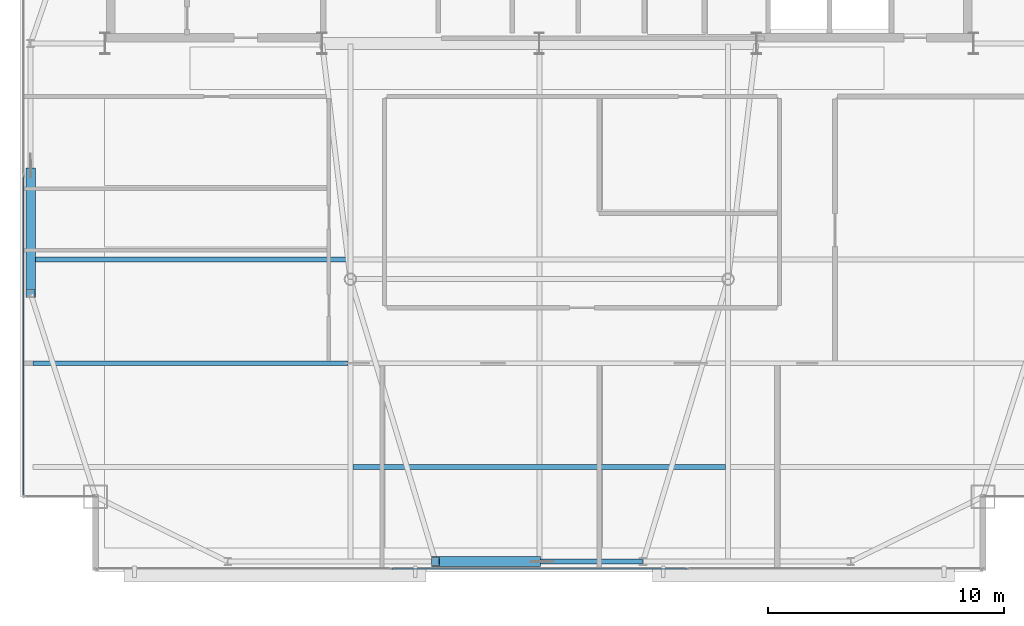
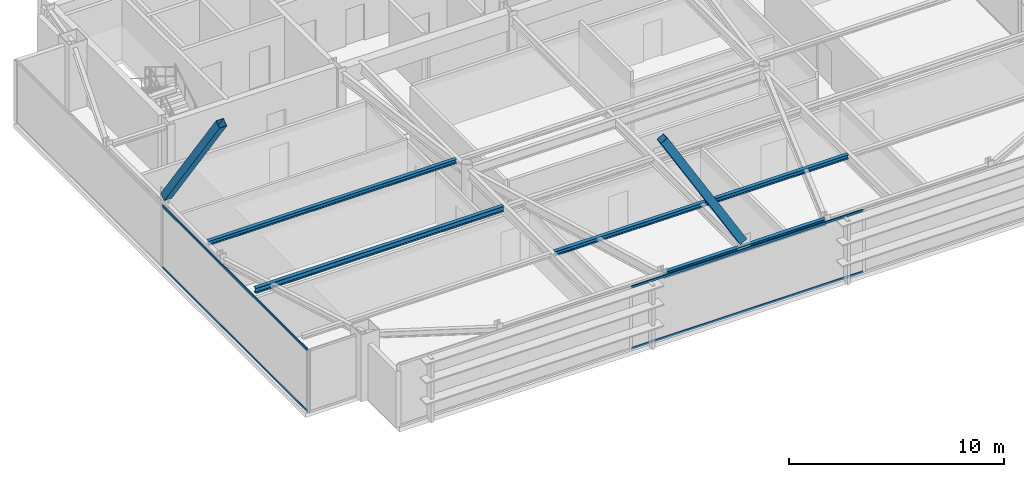
# One storey, part 7 of 24: 6 members, 4 beams, 2 elements without a shape of their own.
"""IFC4 building model written with IfcOpenShell, lengths in metres."""

import ifcopenshell
import ifcopenshell.guid

model = None  # the IFC model being written
_history = None  # IfcOwnerHistory: only IFC2X3 demands one
_inside = {}  # id of a spatial element -> (the spatial element, [elements in it])
_under = {}  # id of a project, library or spatial element -> (it, [spatial elements below it])
_declared = {}  # id of a project -> (the project, [libraries it declares])
_typed = {}  # id of a type object -> (the type object, [elements of that type])
_made_of = {}  # id of a material, layer set ... -> (it, [elements and type objects made of it])


def new_model(schema):
    """Start an empty IFC model of exactly this schema.

    Asked for "IFC4X3", IfcOpenShell would pick the latest addendum, in which some entities
    have other attributes; the version numbers below select the first issue.
    IFC2X3 requires an IfcOwnerHistory on every rooted entity: one is made here for all.
    """
    global model, _history
    if schema == "IFC4X3":
        model = ifcopenshell.file(schema_version=(4, 3, 0, 0))
    else:
        model = ifcopenshell.file(schema=schema)
    _inside.clear()
    _under.clear()
    _declared.clear()
    _typed.clear()
    _made_of.clear()
    _history = None
    if model.schema == "IFC2X3":
        org = make("IfcOrganization", Name="unknown")
        user = make(
            "IfcPersonAndOrganization",
            ThePerson=make("IfcPerson", FamilyName="unknown"),
            TheOrganization=org,
        )
        app = make(
            "IfcApplication",
            ApplicationDeveloper=org,
            Version="unknown",
            ApplicationFullName="unknown",
            ApplicationIdentifier="unknown",
        )
        _history = make(
            "IfcOwnerHistory",
            OwningUser=user,
            OwningApplication=app,
            ChangeAction="ADDED",
            CreationDate=0,
        )
    return model


def make(cls, **values):
    """One entity of the class cls with the attributes given. An attribute that is None is left unset."""
    return model.create_entity(
        cls, **{name: value for name, value in values.items() if value is not None}
    )


def rooted(cls, **values):
    """An entity with a GlobalId (a new one), such as an element, a storey or a relation."""
    return make(cls, GlobalId=ifcopenshell.guid.new(), OwnerHistory=_history, **values)


def si_unit(unit_type, name, prefix=None):
    """IfcSIUnit, for example si_unit("LENGTHUNIT", "METRE", prefix="MILLI")."""
    return make("IfcSIUnit", UnitType=unit_type, Prefix=prefix, Name=name)


def assignment(units):
    """IfcUnitAssignment: the units of a project."""
    return None if units is None else make("IfcUnitAssignment", Units=units)


def point(xyz):
    """IfcCartesianPoint."""
    return None if xyz is None else make("IfcCartesianPoint", Coordinates=xyz)


def direction(xyz):
    """IfcDirection."""
    return None if xyz is None else make("IfcDirection", DirectionRatios=xyz)


def frame(location, z_axis=None, x_axis=None):
    """IfcAxis2Placement3D, a coordinate frame: its origin and axes. An axis left out is left unset."""
    return make(
        "IfcAxis2Placement3D",
        Location=point(location),
        Axis=direction(z_axis),
        RefDirection=direction(x_axis),
    )


def frame_2d(location, x_axis=None):
    """IfcAxis2Placement2D, a coordinate frame in the plane: its origin and x axis."""
    return make(
        "IfcAxis2Placement2D", Location=point(location), RefDirection=direction(x_axis)
    )


def origin():
    """The frame at (0, 0, 0) with its axes left unset."""
    return frame((0.0, 0.0, 0.0))


def origin_2d():
    """The frame at (0, 0) in the plane with its x axis left unset."""
    return frame_2d((0.0, 0.0))


def place(relative_to, where):
    """IfcLocalPlacement: puts the frame where relative to a parent placement (None: the world)."""
    return make(
        "IfcLocalPlacement", PlacementRelTo=relative_to, RelativePlacement=where
    )


def context(
    kind, dimensions, precision=None, world=None, true_north=None, identifier=None
):
    """IfcGeometricRepresentationContext, for example the 3D "Model" context."""
    return make(
        "IfcGeometricRepresentationContext",
        ContextIdentifier=identifier,
        ContextType=kind,
        CoordinateSpaceDimension=dimensions,
        Precision=precision,
        WorldCoordinateSystem=world,
        TrueNorth=true_north,
    )


def subcontext(parent, identifier, kind, view, scale=None):
    """IfcGeometricRepresentationSubContext, for example "Body" below "Model"."""
    return make(
        "IfcGeometricRepresentationSubContext",
        ContextIdentifier=identifier,
        ContextType=kind,
        ParentContext=parent,
        TargetScale=scale,
        TargetView=view,
    )


def project(units=None, contexts=None):
    """IfcProject with its units and contexts."""
    return rooted(
        "IfcProject",
        Name="project",
        RepresentationContexts=contexts,
        UnitsInContext=assignment(units),
    )


def spatial(cls, under=None, at=None, **own):
    """A site, building, storey or space (cls), placed at a placement, below another one or the project."""
    s = rooted(cls, ObjectPlacement=at, **own)
    if under is not None:
        _under.setdefault(under.id(), (under, []))[1].append(s)
    return s


def profile(cls, at=None, kind="AREA", **sizes):
    """A parametric profile (cls). Its sizes go by their IFC names, for example OverallWidth=200.0."""
    return make(cls, ProfileType=kind, Position=at, **sizes)


def hollow_rectangle(**sizes):
    """IfcRectangleHollowProfileDef."""
    return profile("IfcRectangleHollowProfileDef", **sizes)


def i_section(**sizes):
    """IfcIShapeProfileDef."""
    return profile("IfcIShapeProfileDef", **sizes)


def extrude(swept, where, along, depth):
    """IfcExtrudedAreaSolid: the profile swept, set in the frame where, extruded along a direction by depth."""
    return make(
        "IfcExtrudedAreaSolid",
        SweptArea=swept,
        Position=where,
        ExtrudedDirection=direction(along),
        Depth=depth,
    )


def shape(context_of_items, identifier, shape_type, items):
    """IfcShapeRepresentation: the items that make up one representation, for example the "Body"."""
    return make(
        "IfcShapeRepresentation",
        ContextOfItems=context_of_items,
        RepresentationIdentifier=identifier,
        RepresentationType=shape_type,
        Items=items,
    )


def source(mapping_origin, context_of_items, identifier, shape_type, items):
    """IfcRepresentationMap: a shape defined once, which mapped items show again and again."""
    return make(
        "IfcRepresentationMap",
        MappingOrigin=mapping_origin,
        MappedRepresentation=shape(context_of_items, identifier, shape_type, items),
    )


def transform(
    local_origin,
    x_axis=None,
    y_axis=None,
    z_axis=None,
    scale=None,
    scale2=None,
    scale3=None,
    uniform=True,
):
    """IfcCartesianTransformationOperator3D, or its non-uniform kind. x_axis, y_axis, z_axis: its Axis1, 2, 3."""
    if uniform:
        return make(
            "IfcCartesianTransformationOperator3D",
            Axis1=direction(x_axis),
            Axis2=direction(y_axis),
            LocalOrigin=point(local_origin),
            Scale=scale,
            Axis3=direction(z_axis),
        )
    return make(
        "IfcCartesianTransformationOperator3DnonUniform",
        Axis1=direction(x_axis),
        Axis2=direction(y_axis),
        LocalOrigin=point(local_origin),
        Scale=scale,
        Axis3=direction(z_axis),
        Scale2=scale2,
        Scale3=scale3,
    )


def mapped(mapping_source, mapping_target):
    """IfcMappedItem: shows the shape of a source again, moved by a transform."""
    return make(
        "IfcMappedItem", MappingSource=mapping_source, MappingTarget=mapping_target
    )


def material(Name=None, Category=None):
    """IfcMaterial."""
    return make("IfcMaterial", Name=Name, Category=Category)


def layer(
    of_material, thickness, ventilated=None, Name=None, Category=None, Priority=None
):
    """IfcMaterialLayer: one layer of a wall or slab, of a material (None: an air gap)."""
    return make(
        "IfcMaterialLayer",
        Material=of_material,
        LayerThickness=thickness,
        IsVentilated=ventilated,
        Name=Name,
        Category=Category,
        Priority=Priority,
    )


def layer_set(layers, Name=None):
    """IfcMaterialLayerSet."""
    return make("IfcMaterialLayerSet", MaterialLayers=layers, LayerSetName=Name)


def material_profile(
    of_material, cross_section, Name=None, Category=None, Priority=None
):
    """IfcMaterialProfile: a cross section and its material."""
    return make(
        "IfcMaterialProfile",
        Name=Name,
        Material=of_material,
        Profile=cross_section,
        Priority=Priority,
        Category=Category,
    )


def profile_set(profiles, Name=None, composite=None):
    """IfcMaterialProfileSet."""
    return make(
        "IfcMaterialProfileSet",
        Name=Name,
        MaterialProfiles=profiles,
        CompositeProfile=composite,
    )


def made_of(thing, what):
    """Note that an element or type object is made of a material, layer set ...; save() writes the relation."""
    if what is not None:
        _made_of.setdefault(what.id(), (what, []))[1].append(thing)
    return thing


def type_object(cls, material=None, **own):
    """A type object (cls), such as IfcWallType, which elements share."""
    return made_of(rooted(cls, **own), material)


def type_shapes(of_type, sources):
    """Give a type object the sources (RepresentationMaps) that its elements show as mapped items."""
    of_type.RepresentationMaps = sources


def element(
    cls,
    number,
    at=None,
    inside=None,
    cuts=None,
    type_object=None,
    material=None,
    context=None,
    identifier="Body",
    shape_type=None,
    held_by="IfcProductDefinitionShape",
    body=None,
    shapes=None,
    **own,
):
    """One element of the class cls, such as IfcWall. Its Tag is "e" and its number.

    at: its placement. inside: the storey or other place that contains it. cuts: it is an
    opening in that element (IfcRelVoidsElement). A single representation is given by context,
    identifier, shape_type and body (its items); several are given by shapes. held_by: the class
    of the entity that holds the representations. save() writes the other relations.
    """
    e = rooted(cls, Tag="e%d" % number, ObjectPlacement=at, **own)
    if body is not None:
        shapes = [shape(context, identifier, shape_type, body)]
    if shapes is not None:
        e.Representation = make(held_by, Representations=shapes)
    if inside is not None:
        _inside.setdefault(inside.id(), (inside, []))[1].append(e)
    if cuts is not None:
        rooted(
            "IfcRelVoidsElement", RelatingBuildingElement=cuts, RelatedOpeningElement=e
        )
    if type_object is not None:
        _typed.setdefault(type_object.id(), (type_object, []))[1].append(e)
    return made_of(e, material)


def aggregate(whole, parts):
    """IfcRelAggregates: a whole, such as a stair, and the parts it consists of."""
    return rooted("IfcRelAggregates", RelatingObject=whole, RelatedObjects=parts)


def save(model, path):
    """Write the relations noted so far, then the file.

    IfcRelAggregates (storeys below a building ...), IfcRelContainedInSpatialStructure (elements
    in a storey), IfcRelDefinesByType, IfcRelAssociatesMaterial and IfcRelDeclares: one each for
    every whole, place, type object, material and project.
    """
    for whole, parts in _under.values():
        aggregate(whole, parts)
    for where, things in _inside.values():
        rooted(
            "IfcRelContainedInSpatialStructure",
            RelatedElements=things,
            RelatingStructure=where,
        )
    for kind, things in _typed.values():
        rooted("IfcRelDefinesByType", RelatedObjects=things, RelatingType=kind)
    for what, things in _made_of.values():
        rooted("IfcRelAssociatesMaterial", RelatedObjects=things, RelatingMaterial=what)
    for by, libraries in _declared.values():
        rooted("IfcRelDeclares", RelatingContext=by, RelatedDefinitions=libraries)
    model.write(path)


model = new_model("IFC4")

# Units and contexts
model_context = context("Model", 3, precision=1e-05, world=origin(), true_north=direction((0.0, 1.0)))
body_context = subcontext(model_context, "Body", "Model", "MODEL_VIEW")
ifc_project = project(units=[si_unit("LENGTHUNIT", "METRE"), si_unit("AREAUNIT", "SQUARE_METRE"), si_unit("VOLUMEUNIT", "CUBIC_METRE"), si_unit("PLANEANGLEUNIT", "RADIAN"), si_unit("MASSUNIT", "GRAM", prefix="KILO")], contexts=[model_context])

# Site, building, storey
site_placement = place(None, origin())
site = spatial("IfcSite", under=ifc_project, at=site_placement, CompositionType="ELEMENT")
building_placement = place(site_placement, origin())
building = spatial("IfcBuilding", under=site, at=building_placement, Name="Varnel Quay Broadcast Tower", CompositionType="ELEMENT")
storey_placement = place(building_placement, frame((0.0, 0.0, 262.199951171875)))
storey = spatial("IfcBuildingStorey", under=building, at=storey_placement, Name="L65", CompositionType="ELEMENT", Elevation=262.199951171875)

# Beams
ifc_material_1 = material(Name="Structural Steel CSA G40.21 350W", Category="steel")
ifc_material_profile_1 = material_profile(ifc_material_1, i_section(OverallWidth=0.205078125, OverallDepth=0.35400390625, WebThickness=0.009521484375, FlangeThickness=0.016845703125, FilletRadius=0.012939453125, at=origin_2d()), Name="W360X79")
ifc_profile_set_1 = profile_set([ifc_material_profile_1], Name="Structural Steel CSA G40.21 350W")
beam_type_1 = type_object("IfcBeamType", Name="Beam_W360X79", PredefinedType="SPANDREL", material=ifc_profile_set_1)
shared_shape_1 = source(origin(), body_context, "Body", "SweptSolid", [
    extrude(i_section(OverallWidth=0.205078125, OverallDepth=0.35400390625, WebThickness=0.009521484375, FlangeThickness=0.016845703125, FilletRadius=0.012939453125, at=origin_2d()), origin(), (0.0, 0.0, 1.0), 8.759765625),
])
type_shapes(beam_type_1, [shared_shape_1])
beam_1_placement = place(storey_placement, frame((29.6201171875, 13.64990234375, 3.373046875), z_axis=(1.0, 0.0, 0.0), x_axis=(0.0, 1.0, 0.0)))
element("IfcBeam", 1, at=beam_1_placement, inside=storey, type_object=beam_type_1, Name="L65 South Spandrel TC-S2-TC-S3", PredefinedType="SPANDREL", context=body_context, shape_type="MappedRepresentation", body=[
    mapped(shared_shape_1, transform((0.0, 0.0, 0.0), x_axis=(1.0, 0.0, 0.0), y_axis=(0.0, 1.0, 0.0), z_axis=(0.0, 0.0, 1.0), scale=1.0)),
])
ifc_material_profile_2 = material_profile(ifc_material_1, i_section(OverallWidth=0.201904296875, OverallDepth=0.2470703125, WebThickness=0.00732421875, FlangeThickness=0.010986328125, FilletRadius=0.010986328125, at=origin_2d()), Name="W250X49")
ifc_profile_set_2 = profile_set([ifc_material_profile_2], Name="Structural Steel CSA G40.21 350W")
beam_type_2 = type_object("IfcBeamType", Name="Beam_W250X49", PredefinedType="JOIST", material=ifc_profile_set_2)
shared_shape_2 = source(origin(), body_context, "Body", "SweptSolid", [
    extrude(i_section(OverallWidth=0.201904296875, OverallDepth=0.2470703125, WebThickness=0.00732421875, FlangeThickness=0.010986328125, FilletRadius=0.010986328125, at=origin_2d()), origin(), (0.0, 0.0, 1.0), 13.351318359375),
])
beam_2_placement = place(storey_placement, frame((12.547607421875, 26.449951171875, 3.426513671875), z_axis=(1.0, 0.0, 0.0), x_axis=(0.0, 1.0, 0.0)))
element("IfcBeam", 2, at=beam_2_placement, inside=storey, type_object=beam_type_2, Name="L65 West Floor Joist 3", PredefinedType="JOIST", context=body_context, shape_type="MappedRepresentation", body=[
    mapped(shared_shape_2, transform((0.0, 0.0, 0.0), x_axis=(1.0, 0.0, 0.0), y_axis=(0.0, 1.0, 0.0), z_axis=(0.0, 0.0, 1.0), scale=1.0)),
])
shared_shape_3 = source(origin(), body_context, "Body", "SweptSolid", [
    extrude(i_section(OverallWidth=0.201904296875, OverallDepth=0.2470703125, WebThickness=0.00732421875, FlangeThickness=0.010986328125, FilletRadius=0.010986328125, at=origin_2d()), origin(), (0.0, 0.0, 1.0), 15.7978515625),
])
type_shapes(beam_type_2, [shared_shape_2, shared_shape_3])
beam_3_placement = place(storey_placement, frame((26.10107421875, 17.64990234375, 3.426513671875), z_axis=(1.0, 0.0, 0.0), x_axis=(0.0, 1.0, 0.0)))
element("IfcBeam", 3, at=beam_3_placement, inside=storey, type_object=beam_type_2, Name="L65 Central Floor Joist 1", PredefinedType="JOIST", context=body_context, shape_type="MappedRepresentation", body=[
    mapped(shared_shape_3, transform((0.0, 0.0, 0.0), x_axis=(1.0, 0.0, 0.0), y_axis=(0.0, 1.0, 0.0), z_axis=(0.0, 0.0, 1.0), scale=1.0)),
])
ifc_material_profile_3 = material_profile(ifc_material_1, i_section(OverallWidth=0.202880859375, OverallDepth=0.302978515625, WebThickness=0.007568359375, FlangeThickness=0.01318359375, FilletRadius=0.011962890625, at=origin_2d()), Name="W310X60")
ifc_profile_set_3 = profile_set([ifc_material_profile_3], Name="Structural Steel CSA G40.21 350W")
beam_type_3 = type_object("IfcBeamType", Name="Beam_W310X60", PredefinedType="JOIST", material=ifc_profile_set_3)
shared_shape_4 = source(origin(), body_context, "Body", "SweptSolid", [
    extrude(i_section(OverallWidth=0.202880859375, OverallDepth=0.302978515625, WebThickness=0.007568359375, FlangeThickness=0.01318359375, FilletRadius=0.011962890625, at=origin_2d()), origin(), (0.0, 0.0, 1.0), 13.351318359375),
])
type_shapes(beam_type_3, [shared_shape_4])
beam_4_placement = place(storey_placement, frame((12.547607421875, 22.050048828125, 3.3984375), z_axis=(1.0, 0.0, 0.0), x_axis=(0.0, 1.0, 0.0)))
element("IfcBeam", 4, at=beam_4_placement, inside=storey, type_object=beam_type_3, Name="L65 West Floor Joist 2", PredefinedType="JOIST", context=body_context, shape_type="MappedRepresentation", body=[
    mapped(shared_shape_4, transform((0.0, 0.0, 0.0), x_axis=(1.0, 0.0, 0.0), y_axis=(0.0, 1.0, 0.0), z_axis=(0.0, 0.0, 1.0), scale=1.0)),
])

# Members
ifc_material_profile_4 = material_profile(ifc_material_1, hollow_rectangle(XDim=0.406005859375, YDim=0.406005859375, WallThickness=0.01611328125, at=origin_2d()), Name="HSS406X406X16")
ifc_profile_set_4 = profile_set([ifc_material_profile_4], Name="Structural Steel CSA G40.21 350W")
member_type_1 = type_object("IfcMemberType", Name="Brace_HSS406X406X16", PredefinedType="BRACE", material=ifc_profile_set_4)
shared_shape_5 = source(origin(), body_context, "Body", "SweptSolid", [
    extrude(hollow_rectangle(XDim=0.406005859375, YDim=0.406005859375, WallThickness=0.01611328125, at=origin_2d()), origin(), (0.0, 0.0, 1.0), 8.399658203125),
])
member_1_placement = place(storey_placement, frame((33.869384765625, 13.64990234375, 3.896240234375), z_axis=(-0.508263126145, 0.0, 0.861201831513), x_axis=(0.0, -1.0, 0.0)))
element("IfcMember", 5, at=member_1_placement, inside=storey, type_object=member_type_1, Name="Zone 5 Mega-Brace S-C1T1 Split Diag B2", PredefinedType="BRACE", context=body_context, shape_type="MappedRepresentation", body=[
    mapped(shared_shape_5, transform((0.0, 0.0, 0.0), x_axis=(1.0, 0.0, 0.0), y_axis=(0.0, 1.0, 0.0), z_axis=(0.0, 0.0, 1.0), scale=1.0)),
])
shared_shape_6 = source(origin(), body_context, "Body", "SweptSolid", [
    extrude(hollow_rectangle(XDim=0.406005859375, YDim=0.406005859375, WallThickness=0.01611328125, at=origin_2d()), origin(), (0.0, 0.0, 1.0), 8.906982421875),
])
type_shapes(member_type_1, [shared_shape_5, shared_shape_6])
member_2_placement = place(storey_placement, frame((12.449951171875, 30.160888671875, 3.87060546875), z_axis=(0.0, -0.579416578222, 0.81503155085), x_axis=(1.0, 0.0, 0.0)))
element("IfcMember", 6, at=member_2_placement, inside=storey, type_object=member_type_1, Name="Zone 5 Mega-Brace W-FT1 Split Diag B2", PredefinedType="BRACE", context=body_context, shape_type="MappedRepresentation", body=[
    mapped(shared_shape_6, transform((0.0, 0.0, 0.0), x_axis=(1.0, 0.0, 0.0), y_axis=(0.0, 1.0, 0.0), z_axis=(0.0, 0.0, 1.0), scale=1.0)),
])

# Curtain wall, members
ifc_material_2 = material(Name="Anodised Bronze Aluminium 6063-T6", Category="aluminium")
ifc_layer = layer(ifc_material_2, 0.18994140625, Name="Anodised Bronze Aluminium 6063-T6")
ifc_layer_set = layer_set([ifc_layer], Name="Anodised Bronze Aluminium 6063-T6")
curtain_wall_type = type_object("IfcCurtainWallType", Name="CW_UpperTower", PredefinedType="NOTDEFINED", material=ifc_layer_set)
curtain_wall_1_placement = place(storey_placement, origin())
curtain_wall_1 = element("IfcCurtainWall", 7, at=curtain_wall_1_placement, inside=storey, type_object=curtain_wall_type, Name="L65 West Unitised Curtain Wall", PredefinedType="NOTDEFINED")
ifc_material_profile_5 = material_profile(ifc_material_2, hollow_rectangle(XDim=0.06005859375, YDim=0.125, WallThickness=0.0029296875, at=origin_2d()), Name="ALU60X125X3")
ifc_profile_set_5 = profile_set([ifc_material_profile_5], Name="Anodised Bronze Aluminium 6063-T6")
member_type_2 = type_object("IfcMemberType", Name="Tran_CWS-03", PredefinedType="USERDEFINED", material=ifc_profile_set_5)
shared_shape_7 = source(origin(), body_context, "Body", "SweptSolid", [
    extrude(hollow_rectangle(XDim=0.06005859375, YDim=0.125, WallThickness=0.0029296875, at=origin_2d()), origin(), (0.0, 0.0, 1.0), 13.50244140625),
])
member_3_placement = place(storey_placement, frame((12.14990234375, 16.465087890625, 0.030029296875), z_axis=(0.0, 1.0, 0.0), x_axis=(-1.0, 0.0, 0.0)))
member_3 = element("IfcMember", 8, at=member_3_placement, type_object=member_type_2, Name="CWS-03 transom 1.1", ObjectType="TRANSOM", PredefinedType="USERDEFINED", context=body_context, shape_type="MappedRepresentation", body=[
    mapped(shared_shape_7, transform((0.0, 0.0, 0.0), x_axis=(1.0, 0.0, 0.0), y_axis=(0.0, 1.0, 0.0), z_axis=(0.0, 0.0, 1.0), scale=1.0)),
])
member_4_placement = place(storey_placement, frame((12.14990234375, 16.465087890625, 3.52001953125), z_axis=(0.0, 1.0, 0.0), x_axis=(-1.0, 0.0, 0.0)))
member_4 = element("IfcMember", 9, at=member_4_placement, type_object=member_type_2, Name="CWS-03 transom 1.2", ObjectType="TRANSOM", PredefinedType="USERDEFINED", context=body_context, shape_type="MappedRepresentation", body=[
    mapped(shared_shape_7, transform((0.0, 0.0, 0.0), x_axis=(1.0, 0.0, 0.0), y_axis=(0.0, 1.0, 0.0), z_axis=(0.0, 0.0, 1.0), scale=1.0)),
])
aggregate(curtain_wall_1, [member_3, member_4])

curtain_wall_2_placement = place(storey_placement, origin())
curtain_wall_2 = element("IfcCurtainWall", 10, at=curtain_wall_2_placement, inside=storey, type_object=curtain_wall_type, Name="L65 South Unitised Curtain Wall 1", PredefinedType="NOTDEFINED")
shared_shape_8 = source(origin(), body_context, "Body", "SweptSolid", [
    extrude(hollow_rectangle(XDim=0.06005859375, YDim=0.125, WallThickness=0.0029296875, at=origin_2d()), origin(), (0.0, 0.0, 1.0), 12.46826171875),
])
type_shapes(member_type_2, [shared_shape_7, shared_shape_8])
member_5_placement = place(storey_placement, frame((27.765869140625, 13.35009765625, 0.030029296875), z_axis=(1.0, 0.0, 0.0), x_axis=(0.0, 1.0, 0.0)))
member_5 = element("IfcMember", 11, at=member_5_placement, type_object=member_type_2, Name="CWS-03 transom 2.1", ObjectType="TRANSOM", PredefinedType="USERDEFINED", context=body_context, shape_type="MappedRepresentation", body=[
    mapped(shared_shape_8, transform((0.0, 0.0, 0.0), x_axis=(1.0, 0.0, 0.0), y_axis=(0.0, 1.0, 0.0), z_axis=(0.0, 0.0, 1.0), scale=1.0)),
])
member_6_placement = place(storey_placement, frame((27.765869140625, 13.35009765625, 3.52001953125), z_axis=(1.0, 0.0, 0.0), x_axis=(0.0, 1.0, 0.0)))
member_6 = element("IfcMember", 12, at=member_6_placement, type_object=member_type_2, Name="CWS-03 transom 2.2", ObjectType="TRANSOM", PredefinedType="USERDEFINED", context=body_context, shape_type="MappedRepresentation", body=[
    mapped(shared_shape_8, transform((0.0, 0.0, 0.0), x_axis=(1.0, 0.0, 0.0), y_axis=(0.0, 1.0, 0.0), z_axis=(0.0, 0.0, 1.0), scale=1.0)),
])
aggregate(curtain_wall_2, [member_5, member_6])

save(model, "model.ifc")
